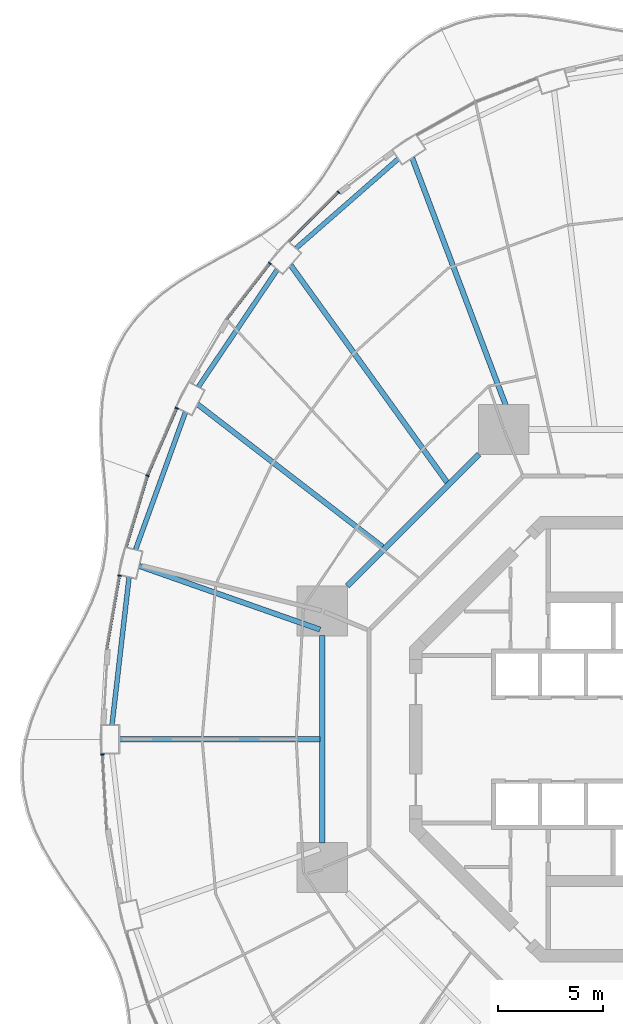
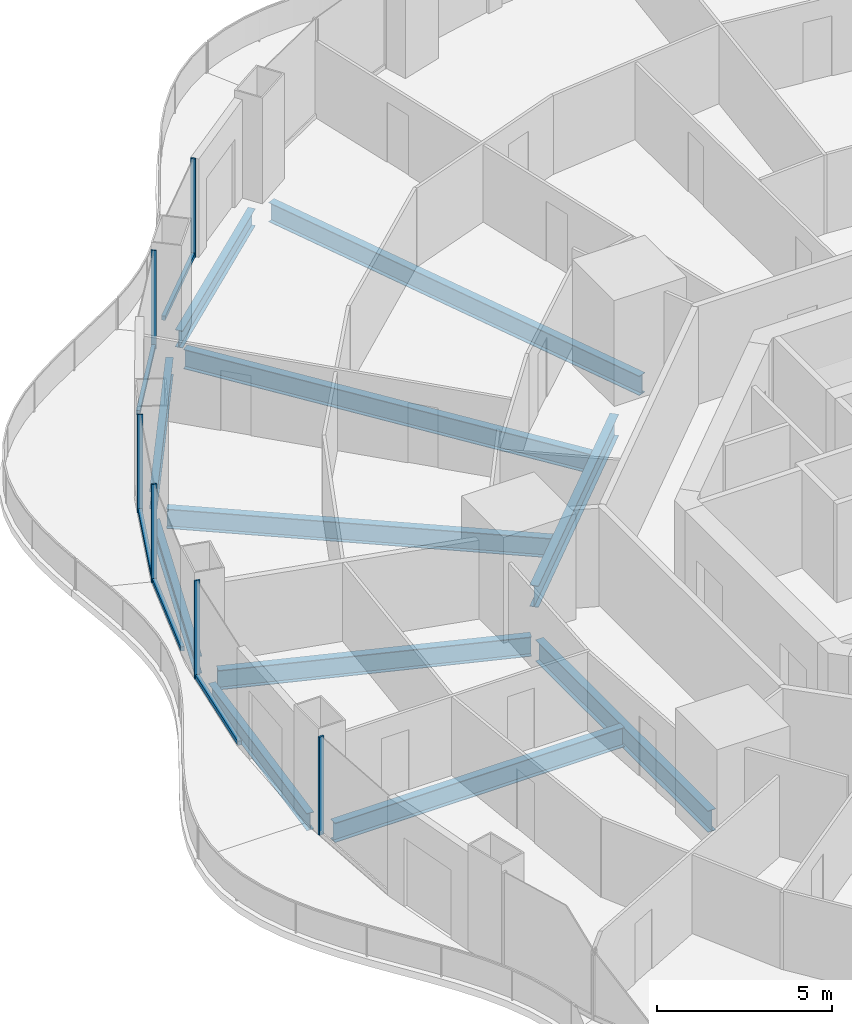
# One storey, part 7 of 22: 11 beams, 11 members, 6 elements without a shape of their own.
"""IFC4 building model written with IfcOpenShell, lengths in metres."""

from ifc_helpers import new_model, si_unit, direction, frame, origin, origin_2d, place, context, subcontext, project, spatial, rectangle, i_section, extrude, material, layer, layer_set, material_profile, profile_set, type_object, element, aggregate, save


model = new_model("IFC4")

# Units and contexts
model_context = context("Model", 3, precision=1e-05, world=origin(), true_north=direction((0.0, 1.0)))
body_context = subcontext(model_context, "Body", "Model", "MODEL_VIEW")
ifc_project = project(units=[si_unit("LENGTHUNIT", "METRE"), si_unit("AREAUNIT", "SQUARE_METRE"), si_unit("VOLUMEUNIT", "CUBIC_METRE"), si_unit("PLANEANGLEUNIT", "RADIAN"), si_unit("MASSUNIT", "GRAM", prefix="KILO")], contexts=[model_context])

# Site, building, storey
site_placement = place(None, origin())
site = spatial("IfcSite", under=ifc_project, at=site_placement, CompositionType="ELEMENT")
building_placement = place(site_placement, origin())
building = spatial("IfcBuilding", under=site, at=building_placement, Name="Nagisa Residences", CompositionType="ELEMENT")
storey_placement = place(building_placement, frame((0.0, 0.0, 30.699951171875)))
storey = spatial("IfcBuildingStorey", under=building, at=storey_placement, Name="L06", CompositionType="ELEMENT", Elevation=30.699951171875)

# Curtain wall, member
ifc_material_1 = material(Name="Concrete-coloured aluminium curtain wall system", Category="concrete")
ifc_layer = layer(ifc_material_1, 0.159912109375)
ifc_layer_set = layer_set([ifc_layer], Name="CW1 CURTAIN WALL")
curtain_wall_type = type_object("IfcCurtainWallType", Name="CW1 CURTAIN WALL", PredefinedType="NOTDEFINED", material=ifc_layer_set)
curtain_wall_1_placement = place(storey_placement, origin())
curtain_wall_1 = element("IfcCurtainWall", 1, at=curtain_wall_1_placement, inside=storey, type_object=curtain_wall_type, Name="cw:CW1:L06:17", PredefinedType="NOTDEFINED")
ifc_material_2 = material(Name="Concrete-coloured aluminium", Category="concrete")
ifc_material_profile_1 = material_profile(ifc_material_2, rectangle(XDim=0.159912109375, YDim=0.06005859375, at=origin_2d()), Name="CW1 MULLION 160x60")
ifc_profile_set_1 = profile_set([ifc_material_profile_1], Name="Concrete-coloured aluminium")
member_type_1 = type_object("IfcMemberType", Name="CW1 MULLION 160x60", PredefinedType="MULLION", material=ifc_profile_set_1)
member_1_placement = place(storey_placement, frame((-14.018798828125, 26.102783203125, 0.0), z_axis=(0.0, 0.0, 1.0), x_axis=(0.706376885714, -0.707835924016, 0.0)))
member_1 = element("IfcMember", 2, at=member_1_placement, type_object=member_type_1, Name="CW1 mullion", PredefinedType="MULLION", context=body_context, shape_type="SweptSolid", body=[
    extrude(rectangle(XDim=0.159912109375, YDim=0.06005859375, at=origin_2d()), origin(), (0.0, 0.0, 1.0), 3.43994140625),
])

curtain_wall_2_placement = place(storey_placement, origin())
curtain_wall_2 = element("IfcCurtainWall", 3, at=curtain_wall_2_placement, inside=storey, type_object=curtain_wall_type, Name="cw:CW1:L06:18", PredefinedType="NOTDEFINED")
member_2_placement = place(storey_placement, frame((-17.288330078125, 22.70751953125, 0.0), z_axis=(0.0, 0.0, 1.0), x_axis=(0.792070340816, -0.610429828235, 0.0)))
member_2 = element("IfcMember", 4, at=member_2_placement, type_object=member_type_1, Name="CW1 mullion", PredefinedType="MULLION", context=body_context, shape_type="SweptSolid", body=[
    extrude(rectangle(XDim=0.159912109375, YDim=0.06005859375, at=origin_2d()), origin(), (0.0, 0.0, 1.0), 3.43994140625),
])

curtain_wall_3_placement = place(storey_placement, origin())
curtain_wall_3 = element("IfcCurtainWall", 5, at=curtain_wall_3_placement, inside=storey, type_object=curtain_wall_type, Name="cw:CW1:L06:20", PredefinedType="NOTDEFINED")
member_3_placement = place(storey_placement, frame((-21.731689453125, 15.79833984375, 0.0), z_axis=(0.0, 0.0, 1.0), x_axis=(0.917543276295, -0.397635934147, 0.0)))
member_3 = element("IfcMember", 6, at=member_3_placement, type_object=member_type_1, Name="CW1 mullion", PredefinedType="MULLION", context=body_context, shape_type="SweptSolid", body=[
    extrude(rectangle(XDim=0.159912109375, YDim=0.06005859375, at=origin_2d()), origin(), (0.0, 0.0, 1.0), 3.43994140625),
])

curtain_wall_4_placement = place(storey_placement, origin())
curtain_wall_4 = element("IfcCurtainWall", 7, at=curtain_wall_4_placement, inside=storey, type_object=curtain_wall_type, Name="cw:CW1:L06:21", PredefinedType="NOTDEFINED")
member_4_placement = place(storey_placement, frame((-23.12451171875, 12.576904296875, 0.0), z_axis=(0.0, 0.0, 1.0), x_axis=(0.958271310082, -0.285860274038, 0.0)))
member_4 = element("IfcMember", 8, at=member_4_placement, type_object=member_type_1, Name="CW1 mullion", PredefinedType="MULLION", context=body_context, shape_type="SweptSolid", body=[
    extrude(rectangle(XDim=0.159912109375, YDim=0.06005859375, at=origin_2d()), origin(), (0.0, 0.0, 1.0), 3.43994140625),
])

curtain_wall_5_placement = place(storey_placement, origin())
curtain_wall_5 = element("IfcCurtainWall", 9, at=curtain_wall_5_placement, inside=storey, type_object=curtain_wall_type, Name="cw:CW1:L06:22", PredefinedType="NOTDEFINED")
member_5_placement = place(storey_placement, frame((-24.458740234375, 7.80810546875, 0.0), z_axis=(0.0, 0.0, 1.0), x_axis=(0.985063604377, -0.172190868898, 0.0)))
member_5 = element("IfcMember", 10, at=member_5_placement, type_object=member_type_1, Name="CW1 mullion", PredefinedType="MULLION", context=body_context, shape_type="SweptSolid", body=[
    extrude(rectangle(XDim=0.159912109375, YDim=0.06005859375, at=origin_2d()), origin(), (0.0, 0.0, 1.0), 3.43994140625),
])

curtain_wall_6_placement = place(storey_placement, origin())
curtain_wall_6 = element("IfcCurtainWall", 11, at=curtain_wall_6_placement, inside=storey, type_object=curtain_wall_type, Name="cw:CW1:L06:24", PredefinedType="NOTDEFINED")
member_6_placement = place(storey_placement, frame((-25.278076171875, -0.72412109375, 0.0), z_axis=(0.0, 0.0, 1.0), x_axis=(0.998345305184, 0.057503492216, 0.0)))
member_6 = element("IfcMember", 12, at=member_6_placement, type_object=member_type_1, Name="CW1 mullion", PredefinedType="MULLION", context=body_context, shape_type="SweptSolid", body=[
    extrude(rectangle(XDim=0.159912109375, YDim=0.06005859375, at=origin_2d()), origin(), (0.0, 0.0, 1.0), 3.43994140625),
])
aggregate(curtain_wall_6, [member_6])

# Member
ifc_material_3 = material(Name="Concrete-coloured aluminium", Category="concrete")
ifc_material_profile_2 = material_profile(ifc_material_3, rectangle(XDim=0.1201171875, YDim=0.14990234375, at=origin_2d()), Name="CW1 TRANSOM 120x150")
ifc_profile_set_2 = profile_set([ifc_material_profile_2], Name="Concrete-coloured aluminium")
member_type_2 = type_object("IfcMemberType", Name="CW1 TRANSOM 120x150", PredefinedType="USERDEFINED", material=ifc_profile_set_2)
member_7_placement = place(storey_placement, frame((-13.99755859375, 26.1240234375, 0.074951171875), z_axis=(-0.707839761606, -0.706373040177, 0.0), x_axis=(0.706373040177, -0.707839761606, 0.0)))
member_7 = element("IfcMember", 13, at=member_7_placement, type_object=member_type_2, Name="CW1 transom", ObjectType="TRANSOM", PredefinedType="USERDEFINED", context=body_context, shape_type="SweptSolid", body=[
    extrude(rectangle(XDim=0.1201171875, YDim=0.14990234375, at=origin_2d()), origin(), (0.0, 0.0, 1.0), 3.3291015625),
])

aggregate(curtain_wall_1, [member_1, member_7])

member_8_placement = place(storey_placement, frame((-17.27001953125, 22.731201171875, 0.074951171875), z_axis=(-0.610457147657, -0.792049285635, 0.0), x_axis=(0.792049285635, -0.610457147657, 0.0)))
member_8 = element("IfcMember", 14, at=member_8_placement, type_object=member_type_2, Name="CW1 transom", ObjectType="TRANSOM", PredefinedType="USERDEFINED", context=body_context, shape_type="SweptSolid", body=[
    extrude(rectangle(XDim=0.1201171875, YDim=0.14990234375, at=origin_2d()), origin(), (0.0, 0.0, 1.0), 3.3974609375),
])

aggregate(curtain_wall_2, [member_2, member_8])

member_9_placement = place(storey_placement, frame((-21.7197265625, 15.825927734375, 0.074951171875), z_axis=(-0.397624958345, -0.917548032803, 0.0), x_axis=(0.917548032803, -0.397624958345, 0.0)))
member_9 = element("IfcMember", 15, at=member_9_placement, type_object=member_type_2, Name="CW1 transom", ObjectType="TRANSOM", PredefinedType="USERDEFINED", context=body_context, shape_type="SweptSolid", body=[
    extrude(rectangle(XDim=0.1201171875, YDim=0.14990234375, at=origin_2d()), origin(), (0.0, 0.0, 1.0), 3.51953125),
])

aggregate(curtain_wall_3, [member_3, member_9])

member_10_placement = place(storey_placement, frame((-23.115966796875, 12.605712890625, 0.074951171875), z_axis=(-0.285808431121, -0.958286773727, 0.0), x_axis=(0.958286773727, -0.285808431121, 0.0)))
member_10 = element("IfcMember", 16, at=member_10_placement, type_object=member_type_2, Name="CW1 transom", ObjectType="TRANSOM", PredefinedType="USERDEFINED", context=body_context, shape_type="SweptSolid", body=[
    extrude(rectangle(XDim=0.1201171875, YDim=0.14990234375, at=origin_2d()), origin(), (0.0, 0.0, 1.0), 3.5654296875),
])

aggregate(curtain_wall_4, [member_4, member_10])

member_11_placement = place(storey_placement, frame((-24.45361328125, 7.837646484375, 0.074951171875), z_axis=(-0.172163041068, -0.985068468326, 0.0), x_axis=(0.985068468326, -0.172163041068, 0.0)))
member_11 = element("IfcMember", 17, at=member_11_placement, type_object=member_type_2, Name="CW1 transom", ObjectType="TRANSOM", PredefinedType="USERDEFINED", context=body_context, shape_type="SweptSolid", body=[
    extrude(rectangle(XDim=0.1201171875, YDim=0.14990234375, at=origin_2d()), origin(), (0.0, 0.0, 1.0), 3.59765625),
])

aggregate(curtain_wall_5, [member_5, member_11])

# Beams
ifc_material_4 = material(Name="Steel ASTM A572 Gr 50", Category="steel")
ifc_material_profile_3 = material_profile(ifc_material_4, i_section(OverallWidth=0.264892578125, OverallDepth=0.7529296875, WebThickness=0.01318359375, FlangeThickness=0.01708984375, at=origin_2d()), Name="W760x147")
ifc_profile_set_3 = profile_set([ifc_material_profile_3], Name="Steel ASTM A572 Gr 50")
beam_type_1 = type_object("IfcBeamType", Name="Inner ring beam W760x147", PredefinedType="BEAM", material=ifc_profile_set_3)
beam_1_placement = place(storey_placement, frame((-7.308837890625, 13.59619140625, -0.636474609375), z_axis=(-0.707106781187, -0.707106781187, 0.0), x_axis=(0.707106781187, -0.707106781187, 0.0)))
element("IfcBeam", 18, at=beam_1_placement, inside=storey, type_object=beam_type_1, Name="beam:L06:ib3", PredefinedType="BEAM", context=body_context, shape_type="SweptSolid", body=[
    extrude(i_section(OverallWidth=0.264892578125, OverallDepth=0.7529296875, WebThickness=0.01318359375, FlangeThickness=0.01708984375, at=origin_2d()), origin(), (0.0, 0.0, 1.0), 8.8916015625),
])
beam_2_placement = place(storey_placement, frame((-14.781982421875, 4.94287109375, -0.636474609375), z_axis=(0.0, -1.0, 0.0), x_axis=(1.0, 0.0, 0.0)))
element("IfcBeam", 19, at=beam_2_placement, inside=storey, type_object=beam_type_1, Name="beam:L06:ib4", PredefinedType="BEAM", context=body_context, shape_type="SweptSolid", body=[
    extrude(i_section(OverallWidth=0.264892578125, OverallDepth=0.7529296875, WebThickness=0.01318359375, FlangeThickness=0.01708984375, at=origin_2d()), origin(), (0.0, 0.0, 1.0), 9.8857421875),
])
ifc_material_5 = material(Name="Steel ASTM A572 Gr 50", Category="steel")
ifc_material_profile_4 = material_profile(ifc_material_5, i_section(OverallWidth=0.22802734375, OverallDepth=0.60302734375, WebThickness=0.010498046875, FlangeThickness=0.014892578125, at=origin_2d()), Name="W610x101")
ifc_profile_set_4 = profile_set([ifc_material_profile_4], Name="Steel ASTM A572 Gr 50")
beam_type_2 = type_object("IfcBeamType", Name="Perimeter ring beam W610x101", PredefinedType="BEAM", material=ifc_profile_set_4)
beam_3_placement = place(storey_placement, frame((-11.166748046875, 27.693603515625, -0.5615234375), z_axis=(-0.752574357292, -0.658507279191, 0.0), x_axis=(0.658507279191, -0.752574357292, 0.0)))
element("IfcBeam", 20, at=beam_3_placement, inside=storey, type_object=beam_type_2, Name="beam:L06:pb09", PredefinedType="BEAM", context=body_context, shape_type="SweptSolid", body=[
    extrude(i_section(OverallWidth=0.22802734375, OverallDepth=0.60302734375, WebThickness=0.010498046875, FlangeThickness=0.014892578125, at=origin_2d()), origin(), (0.0, 0.0, 1.0), 6.47021484375),
])
beam_4_placement = place(storey_placement, frame((-16.935302734375, 22.411865234375, -0.5615234375), z_axis=(-0.558296806041, -0.829641293792, 0.0), x_axis=(0.829641293792, -0.558296806041, 0.0)))
element("IfcBeam", 21, at=beam_4_placement, inside=storey, type_object=beam_type_2, Name="beam:L06:pb10", PredefinedType="BEAM", context=body_context, shape_type="SweptSolid", body=[
    extrude(i_section(OverallWidth=0.22802734375, OverallDepth=0.60302734375, WebThickness=0.010498046875, FlangeThickness=0.014892578125, at=origin_2d()), origin(), (0.0, 0.0, 1.0), 6.74169921875),
])
beam_5_placement = place(storey_placement, frame((-21.315673828125, 15.60595703125, -0.5615234375), z_axis=(-0.341411143183, -0.939914055279, 0.0), x_axis=(0.939914055279, -0.341411143183, 0.0)))
element("IfcBeam", 22, at=beam_5_placement, inside=storey, type_object=beam_type_2, Name="beam:L06:pb11", PredefinedType="BEAM", context=body_context, shape_type="SweptSolid", body=[
    extrude(i_section(OverallWidth=0.22802734375, OverallDepth=0.60302734375, WebThickness=0.010498046875, FlangeThickness=0.014892578125, at=origin_2d()), origin(), (0.0, 0.0, 1.0), 6.96923828125),
])
beam_6_placement = place(storey_placement, frame((-24.00732421875, 7.7314453125, -0.5615234375), z_axis=(-0.114707660057, -0.993399291687, 0.0), x_axis=(0.993399291687, -0.114707660057, 0.0)))
element("IfcBeam", 23, at=beam_6_placement, inside=storey, type_object=beam_type_2, Name="beam:L06:pb12", PredefinedType="BEAM", context=body_context, shape_type="SweptSolid", body=[
    extrude(i_section(OverallWidth=0.22802734375, OverallDepth=0.60302734375, WebThickness=0.010498046875, FlangeThickness=0.014892578125, at=origin_2d()), origin(), (0.0, 0.0, 1.0), 7.09814453125),
])
ifc_material_6 = material(Name="Steel ASTM A572 Gr 50", Category="steel")
ifc_material_profile_5 = material_profile(ifc_material_6, i_section(OverallWidth=0.25390625, OverallDepth=0.68408203125, WebThickness=0.012451171875, FlangeThickness=0.018798828125, at=origin_2d()), Name="W690x140")
ifc_profile_set_5 = profile_set([ifc_material_profile_5], Name="Steel ASTM A572 Gr 50")
beam_type_3 = type_object("IfcBeamType", Name="Radial beam W690x140", PredefinedType="BEAM", material=ifc_profile_set_5)
beam_7_placement = place(storey_placement, frame((-10.493896484375, 27.7333984375, -0.60205078125), z_axis=(0.353887892206, -0.935287848606, 0.0), x_axis=(0.935287848606, 0.353887892206, 0.0)))
element("IfcBeam", 24, at=beam_7_placement, inside=storey, type_object=beam_type_3, Name="beam:L06:rb09", PredefinedType="BEAM", context=body_context, shape_type="SweptSolid", body=[
    extrude(i_section(OverallWidth=0.25390625, OverallDepth=0.68408203125, WebThickness=0.012451171875, FlangeThickness=0.018798828125, at=origin_2d()), origin(), (0.0, 0.0, 1.0), 13.725830078125),
])
beam_8_placement = place(storey_placement, frame((-16.29443359375, 22.62255859375, -0.60205078125), z_axis=(0.58445507622, -0.811426068031, 0.0), x_axis=(0.811426068031, 0.58445507622, 0.0)))
element("IfcBeam", 25, at=beam_8_placement, inside=storey, type_object=beam_type_3, Name="beam:L06:rb10", PredefinedType="BEAM", context=body_context, shape_type="SweptSolid", body=[
    extrude(i_section(OverallWidth=0.25390625, OverallDepth=0.68408203125, WebThickness=0.012451171875, FlangeThickness=0.018798828125, at=origin_2d()), origin(), (0.0, 0.0, 1.0), 12.78955078125),
])
beam_9_placement = place(storey_placement, frame((-20.73486328125, 15.982666015625, -0.60205078125), z_axis=(0.792016146736, -0.610500141941, 0.0), x_axis=(0.610500141941, 0.792016146736, 0.0)))
element("IfcBeam", 26, at=beam_9_placement, inside=storey, type_object=beam_type_3, Name="beam:L06:rb11", PredefinedType="BEAM", context=body_context, shape_type="SweptSolid", body=[
    extrude(i_section(OverallWidth=0.25390625, OverallDepth=0.68408203125, WebThickness=0.012451171875, FlangeThickness=0.018798828125, at=origin_2d()), origin(), (0.0, 0.0, 1.0), 11.160888671875),
])
beam_10_placement = place(storey_placement, frame((-23.520751953125, 8.26806640625, -0.60205078125), z_axis=(0.943414535235, -0.331615763659, 0.0), x_axis=(0.331615763659, 0.943414535235, 0.0)))
element("IfcBeam", 27, at=beam_10_placement, inside=storey, type_object=beam_type_3, Name="beam:L06:rb12", PredefinedType="BEAM", context=body_context, shape_type="SweptSolid", body=[
    extrude(i_section(OverallWidth=0.25390625, OverallDepth=0.68408203125, WebThickness=0.012451171875, FlangeThickness=0.018798828125, at=origin_2d()), origin(), (0.0, 0.0, 1.0), 9.142333984375),
])
beam_11_placement = place(storey_placement, frame((-24.469970703125, 0.0, -0.60205078125), z_axis=(1.0, 0.0, 0.0), x_axis=(0.0, 1.0, 0.0)))
element("IfcBeam", 28, at=beam_11_placement, inside=storey, type_object=beam_type_3, Name="beam:L06:rb13", PredefinedType="BEAM", context=body_context, shape_type="SweptSolid", body=[
    extrude(i_section(OverallWidth=0.25390625, OverallDepth=0.68408203125, WebThickness=0.012451171875, FlangeThickness=0.018798828125, at=origin_2d()), origin(), (0.0, 0.0, 1.0), 9.575439453125),
])

save(model, "model.ifc")
